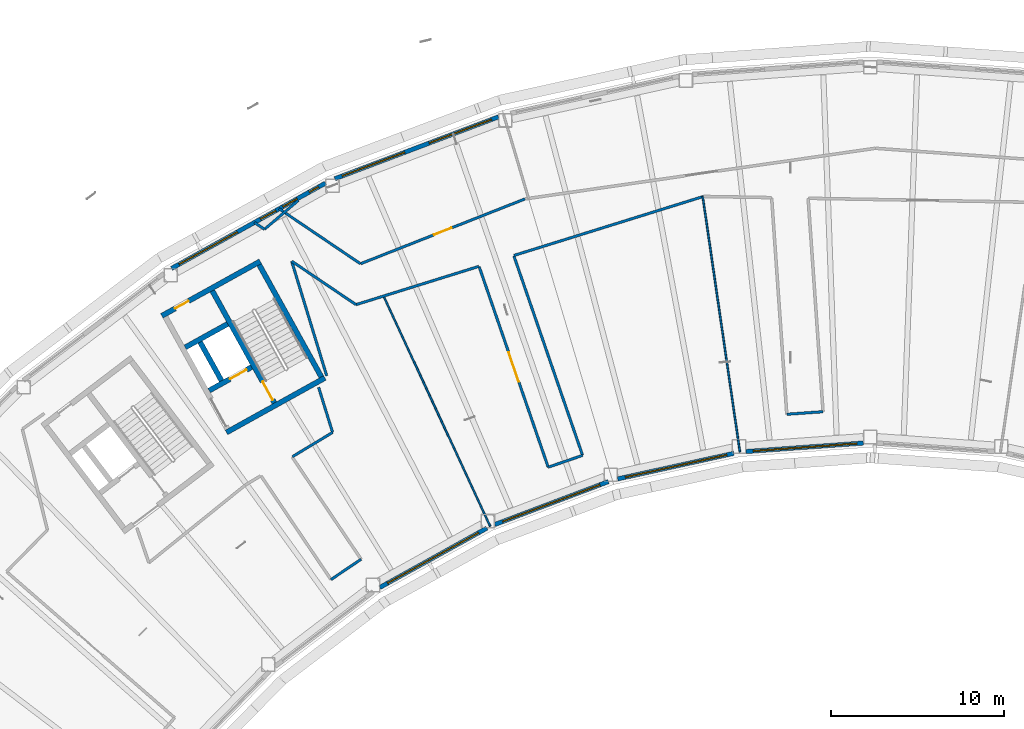
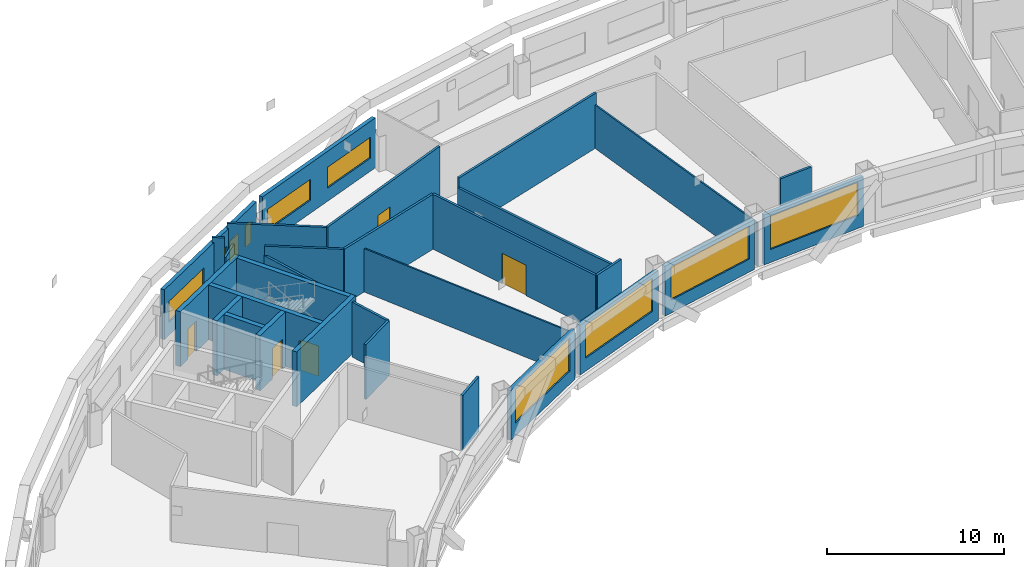
# One storey, part 6 of 21: 30 walls, 10 windows, 5 doors, 15 openings.
"""IFC4 building model written with IfcOpenShell, lengths in metres."""

from ifc_helpers import new_model, si_unit, direction, frame, frame_2d, origin, place, context, subcontext, project, spatial, rectangle, extrude, material, layer, layer_set, type_object, element, fill, save


model = new_model("IFC4")

# Units and contexts
model_context = context("Model", 3, precision=1e-05, world=origin(), true_north=direction((0.0, 1.0)))
body_context = subcontext(model_context, "Body", "Model", "MODEL_VIEW")
ifc_project = project(units=[si_unit("LENGTHUNIT", "METRE"), si_unit("AREAUNIT", "SQUARE_METRE"), si_unit("VOLUMEUNIT", "CUBIC_METRE"), si_unit("PLANEANGLEUNIT", "RADIAN"), si_unit("MASSUNIT", "GRAM", prefix="KILO")], contexts=[model_context])

# Site, building, storey
site_placement = place(None, origin())
site = spatial("IfcSite", under=ifc_project, at=site_placement, CompositionType="ELEMENT")
building_placement = place(site_placement, origin())
building = spatial("IfcBuilding", under=site, at=building_placement, Name="Tuul Gate Civic Tower", CompositionType="ELEMENT")
storey_placement = place(building_placement, frame((0.0, 0.0, 311.0)))
storey = spatial("IfcBuildingStorey", under=building, at=storey_placement, Name="Level 70", CompositionType="ELEMENT", Elevation=311.0)

# Wall
ifc_material_1 = material(Name="Concrete C50/60", Category="concrete")
ifc_layer_1 = layer(ifc_material_1, 0.300048828125)
ifc_layer_set_1 = layer_set([ifc_layer_1], Name="Concrete C50/60")
wall_type_1 = type_object("IfcWallType", Name="Core wall C50/60", PredefinedType="SHEAR", material=ifc_layer_set_1)
wall_1_placement = place(storey_placement, frame((-24.711669921875, -8.7158203125, 0.0), z_axis=(0.0, 0.0, 1.0), x_axis=(-0.874629909008, -0.484791215132, 0.0)))
element("IfcWall", 1, at=wall_1_placement, inside=storey, type_object=wall_type_1, Name="Core wall", PredefinedType="SHEAR", context=body_context, shape_type="SweptSolid", body=[
    extrude(rectangle(XDim=6.5, YDim=0.300048828125, at=frame_2d((3.25, 0.0))), origin(), (0.0, 0.0, 1.0), 3.800048828125),
])

# Wall, opening, door
wall_2_placement = place(storey_placement, frame((-28.94580078125, -8.090087890625, 0.0), z_axis=(0.0, 0.0, 1.0), x_axis=(-0.874629840737, -0.484791338301, 0.0)))
wall_2 = element("IfcWall", 2, at=wall_2_placement, inside=storey, type_object=wall_type_1, Name="Core wall", PredefinedType="SHEAR", context=body_context, shape_type="SweptSolid", body=[
    extrude(rectangle(XDim=2.800048828125, YDim=0.300048828125, at=frame_2d((1.39990234375, 0.0))), origin(), (0.0, 0.0, 1.0), 3.800048828125),
])
opening_1_placement = place(wall_2_placement, frame((0.324951171875, 0.0, 0.0)))
opening_1 = element("IfcOpeningElement", 3, at=opening_1_placement, cuts=wall_2, Name="Opening LD-FF-1", PredefinedType="OPENING", context=body_context, shape_type="SweptSolid", body=[
    extrude(rectangle(XDim=1.10009765625, YDim=2.10009765625, at=frame_2d((0.550048828125, 1.050048828125))), frame((0.0, 0.16015625, 0.0), z_axis=(0.0, -1.0, 0.0), x_axis=(1.0, 0.0, 0.0)), (0.0, 0.0, 1.0), 0.320068359375),
])
ifc_material_2 = material(Name="Stainless steel", Category="steel")
door_type_1 = type_object("IfcDoorType", Name="Landing door", OperationType="DOUBLE_DOOR_SLIDING", PredefinedType="DOOR", material=ifc_material_2)
door_1_placement = place(opening_1_placement, origin())
door_1 = element("IfcDoor", 4, at=door_1_placement, inside=storey, type_object=door_type_1, Name="Fire-fighting lift FF-1 landing door", OperationType="DOUBLE_DOOR_SLIDING", OverallHeight=2.10009765625, OverallWidth=1.10009765625, PredefinedType="DOOR", context=body_context, shape_type="SweptSolid", body=[
    extrude(rectangle(XDim=1.10009765625, YDim=2.10009765625, at=frame_2d((0.550048828125, 1.050048828125))), frame((0.0, 0.02490234375, 0.0), z_axis=(0.0, -1.0, 0.0), x_axis=(1.0, 0.0, 0.0)), (0.0, 0.0, 1.0), 0.050048828125),
])
fill(opening_1, door_1)

# Wall
wall_3_placement = place(storey_placement, frame((-30.327392578125, -5.59716796875, 0.0), z_axis=(0.0, 0.0, 1.0), x_axis=(-0.874629840737, -0.484791338301, 0.0)))
element("IfcWall", 5, at=wall_3_placement, inside=storey, type_object=wall_type_1, Name="Core wall", PredefinedType="SHEAR", context=body_context, shape_type="SweptSolid", body=[
    extrude(rectangle(XDim=2.800048828125, YDim=0.300048828125, at=frame_2d((1.39990234375, 0.0))), origin(), (0.0, 0.0, 1.0), 3.800048828125),
])

# Wall, opening, door
wall_4_placement = place(storey_placement, frame((-28.4443359375, -1.98095703125, 0.0), z_axis=(0.0, 0.0, 1.0), x_axis=(-0.874629909008, -0.484791215132, 0.0)))
wall_4 = element("IfcWall", 6, at=wall_4_placement, inside=storey, type_object=wall_type_1, Name="Core wall", PredefinedType="SHEAR", context=body_context, shape_type="SweptSolid", body=[
    extrude(rectangle(XDim=6.5, YDim=0.300048828125, at=frame_2d((3.25, 0.0))), origin(), (0.0, 0.0, 1.0), 3.800048828125),
])
opening_2_placement = place(wall_4_placement, frame((4.72509765625, 0.0, 0.0)))
opening_2 = element("IfcOpeningElement", 7, at=opening_2_placement, cuts=wall_4, Name="Opening Z-D15", PredefinedType="OPENING", context=body_context, shape_type="SweptSolid", body=[
    extrude(rectangle(XDim=0.89990234375, YDim=2.10009765625, at=frame_2d((0.449951171875, 1.050048828125))), frame((0.0, 0.16015625, 0.0), z_axis=(0.0, -1.0, 0.0), x_axis=(1.0, 0.0, 0.0)), (0.0, 0.0, 1.0), 0.320068359375),
])
ifc_material_3 = material(Name="Timber door leaf", Category="wood")
door_type_2 = type_object("IfcDoorType", Name="Door D09", OperationType="NOTDEFINED", PredefinedType="DOOR", material=ifc_material_3)
door_2_placement = place(opening_2_placement, origin())
door_2 = element("IfcDoor", 8, at=door_2_placement, inside=storey, type_object=door_type_2, Name="Door Z-D15", OperationType="SINGLE_SWING_LEFT", OverallHeight=2.10009765625, OverallWidth=0.89990234375, PredefinedType="DOOR", context=body_context, shape_type="SweptSolid", body=[
    extrude(rectangle(XDim=0.89990234375, YDim=2.10009765625, at=frame_2d((0.449951171875, 1.050048828125))), frame((0.0, 0.02490234375, 0.0), z_axis=(0.0, -1.0, 0.0), x_axis=(1.0, 0.0, 0.0)), (0.0, 0.0, 1.0), 0.050048828125),
])
fill(opening_2, door_2)

# Wall
wall_5_placement = place(storey_placement, frame((-24.91552734375, -8.6572265625, 0.0), z_axis=(0.0, 0.0, 1.0), x_axis=(-0.484777133038, 0.874637714304, 0.0)))
element("IfcWall", 9, at=wall_5_placement, inside=storey, type_object=wall_type_1, Name="Core wall", PredefinedType="SHEAR", context=body_context, shape_type="SweptSolid", body=[
    extrude(rectangle(XDim=7.400146484375, YDim=0.300048828125, at=frame_2d((3.7001953125, 0.0))), origin(), (0.0, 0.0, 1.0), 3.800048828125),
])

# Wall, opening, door
wall_6_placement = place(storey_placement, frame((-27.626953125, -10.16015625, 0.0), z_axis=(0.0, 0.0, 1.0), x_axis=(-0.484751894226, 0.874651702704, 0.0)))
wall_6 = element("IfcWall", 10, at=wall_6_placement, inside=storey, type_object=wall_type_1, Name="Core wall", PredefinedType="SHEAR", context=body_context, shape_type="SweptSolid", body=[
    extrude(rectangle(XDim=7.39990234375, YDim=0.300048828125, at=frame_2d((3.699951171875, 0.0))), origin(), (0.0, 0.0, 1.0), 3.800048828125),
])
opening_3_placement = place(wall_6_placement, frame((0.199951171875, 0.0, 0.0)))
opening_3 = element("IfcOpeningElement", 11, at=opening_3_placement, cuts=wall_6, Name="Opening SD-ST-2", PredefinedType="OPENING", context=body_context, shape_type="SweptSolid", body=[
    extrude(rectangle(XDim=1.199951171875, YDim=2.10009765625, at=frame_2d((0.60009765625, 1.050048828125))), frame((0.0, 0.16015625, 0.0), z_axis=(0.0, -1.0, 0.0), x_axis=(1.0, 0.0, 0.0)), (0.0, 0.0, 1.0), 0.320068359375),
])
ifc_material_4 = material(Name="Steel", Category="steel")
door_type_3 = type_object("IfcDoorType", Name="Stair door", OperationType="NOTDEFINED", PredefinedType="DOOR", material=ifc_material_4)
door_3_placement = place(opening_3_placement, origin())
door_3 = element("IfcDoor", 12, at=door_3_placement, inside=storey, type_object=door_type_3, Name="Stair door ST-2", OperationType="SINGLE_SWING_LEFT", OverallHeight=2.10009765625, OverallWidth=1.199951171875, PredefinedType="DOOR", context=body_context, shape_type="SweptSolid", body=[
    extrude(rectangle(XDim=1.199951171875, YDim=2.10009765625, at=frame_2d((0.60009765625, 1.050048828125))), frame((0.0, 0.02490234375, 0.0), z_axis=(0.0, -1.0, 0.0), x_axis=(1.0, 0.0, 0.0)), (0.0, 0.0, 1.0), 0.050048828125),
])
fill(opening_3, door_3)

# Wall
wall_7_placement = place(storey_placement, frame((-30.680419921875, -8.8798828125, 0.0), z_axis=(0.0, 0.0, 1.0), x_axis=(-0.484724115216, 0.874667097888, 0.0)))
element("IfcWall", 13, at=wall_7_placement, inside=storey, type_object=wall_type_1, Name="Core wall", PredefinedType="SHEAR", context=body_context, shape_type="SweptSolid", body=[
    extrude(rectangle(XDim=2.550048828125, YDim=0.300048828125, at=frame_2d((1.27490234375, 0.0))), origin(), (0.0, 0.0, 1.0), 3.800048828125),
])

# Wall, opening, door
ifc_material_5 = material(Name="Gypsum board partition")
ifc_layer_2 = layer(ifc_material_5, 0.14990234375)
ifc_layer_set_2 = layer_set([ifc_layer_2], Name="Gypsum board partition")
wall_type_2 = type_object("IfcWallType", Name="Corridor wall P150", PredefinedType="PARTITIONING", material=ifc_layer_set_2)
wall_8_placement = place(storey_placement, frame((-22.64990234375, -2.122802734375, 0.0), z_axis=(0.0, 0.0, 1.0), x_axis=(0.930310979709, 0.366771701515, 0.0)))
wall_8 = element("IfcWall", 14, at=wall_8_placement, inside=storey, type_object=wall_type_2, Name="p020", PredefinedType="PARTITIONING", context=body_context, shape_type="SweptSolid", body=[
    extrude(rectangle(XDim=10.207763671875, YDim=0.14990234375, at=frame_2d((5.10400390625, 0.0))), origin(), (0.0, 0.0, 1.0), 3.800048828125),
])
opening_4_placement = place(wall_8_placement, frame((4.5537109375, 0.0, 0.0)))
opening_4 = element("IfcOpeningElement", 15, at=opening_4_placement, cuts=wall_8, Name="Opening Z-D04", PredefinedType="OPENING", context=body_context, shape_type="SweptSolid", body=[
    extrude(rectangle(XDim=1.10009765625, YDim=2.10009765625, at=frame_2d((0.550048828125, 1.050048828125))), frame((0.0, 0.0849609375, 0.0), z_axis=(0.0, -1.0, 0.0), x_axis=(1.0, 0.0, 0.0)), (0.0, 0.0, 1.0), 0.169921875),
])
ifc_material_6 = material(Name="Timber door leaf", Category="wood")
door_type_4 = type_object("IfcDoorType", Name="Door D11", OperationType="NOTDEFINED", PredefinedType="DOOR", material=ifc_material_6)
door_4_placement = place(opening_4_placement, origin())
door_4 = element("IfcDoor", 16, at=door_4_placement, inside=storey, type_object=door_type_4, Name="Door Z-D04", OperationType="SINGLE_SWING_RIGHT", OverallHeight=2.10009765625, OverallWidth=1.10009765625, PredefinedType="DOOR", context=body_context, shape_type="SweptSolid", body=[
    extrude(rectangle(XDim=1.10009765625, YDim=2.10009765625, at=frame_2d((0.550048828125, 1.050048828125))), frame((0.0, 0.02490234375, 0.0), z_axis=(0.0, -1.0, 0.0), x_axis=(1.0, 0.0, 0.0)), (0.0, 0.0, 1.0), 0.050048828125),
])
fill(opening_4, door_4)

# Walls
wall_9_placement = place(storey_placement, frame((-27.357421875, 1.0546875, 0.0), z_axis=(0.0, 0.0, 1.0), x_axis=(0.828352810299, -0.56020676689, 0.0)))
element("IfcWall", 17, at=wall_9_placement, inside=storey, type_object=wall_type_2, Name="p021", PredefinedType="PARTITIONING", context=body_context, shape_type="SweptSolid", body=[
    extrude(rectangle(XDim=5.666015625, YDim=0.14990234375, at=frame_2d((2.8330078125, 0.0))), origin(), (0.0, 0.0, 1.0), 3.800048828125),
])
wall_10_placement = place(storey_placement, frame((-28.78466796875, 0.263427734375, 0.0), z_axis=(0.0, 0.0, 1.0), x_axis=(0.828259849194, -0.560344199767, 0.0)))
element("IfcWall", 18, at=wall_10_placement, inside=storey, type_object=wall_type_2, Name="p023", PredefinedType="PARTITIONING", context=body_context, shape_type="SweptSolid", body=[
    extrude(rectangle(XDim=0.70703125, YDim=0.14990234375, at=frame_2d((0.353515625, 0.0))), origin(), (0.0, 0.0, 1.0), 3.800048828125),
])
wall_11_placement = place(storey_placement, frame((-22.914306640625, -4.485107421875, 0.0), z_axis=(0.0, 0.0, 1.0), x_axis=(0.95478316179, 0.29730306753, 0.0)))
element("IfcWall", 19, at=wall_11_placement, inside=storey, type_object=wall_type_2, Name="p046", PredefinedType="PARTITIONING", context=body_context, shape_type="SweptSolid", body=[
    extrude(rectangle(XDim=7.42431640625, YDim=0.14990234375, at=frame_2d((3.712158203125, 0.0))), origin(), (0.0, 0.0, 1.0), 3.800048828125),
])
wall_12_placement = place(storey_placement, frame((-13.780517578125, -1.64111328125, 0.0), z_axis=(0.0, 0.0, 1.0), x_axis=(0.954785829925, 0.29729449873, 0.0)))
element("IfcWall", 20, at=wall_12_placement, inside=storey, type_object=wall_type_2, Name="p047", PredefinedType="PARTITIONING", context=body_context, shape_type="SweptSolid", body=[
    extrude(rectangle(XDim=11.45751953125, YDim=0.14990234375, at=frame_2d((5.728759765625, 0.0))), origin(), (0.0, 0.0, 1.0), 3.800048828125),
])
wall_13_placement = place(storey_placement, frame((1.970703125, -10.81640625, 0.0), z_axis=(0.0, 0.0, 1.0), x_axis=(0.997560992634, 0.069800186073, 0.0)))
element("IfcWall", 21, at=wall_13_placement, inside=storey, type_object=wall_type_2, Name="p049", PredefinedType="PARTITIONING", context=body_context, shape_type="SweptSolid", body=[
    extrude(rectangle(XDim=2.0986328125, YDim=0.14990234375, at=frame_2d((1.04931640625, 0.0))), origin(), (0.0, 0.0, 1.0), 3.800048828125),
])

# Wall, opening, door
wall_14_placement = place(storey_placement, frame((-15.800048828125, -2.290771484375, 0.0), z_axis=(0.0, 0.0, 1.0), x_axis=(0.325574272281, -0.945516469041, 0.0)))
wall_14 = element("IfcWall", 22, at=wall_14_placement, inside=storey, type_object=wall_type_2, Name="p052", PredefinedType="PARTITIONING", context=body_context, shape_type="SweptSolid", body=[
    extrude(rectangle(XDim=12.25146484375, YDim=0.14990234375, at=frame_2d((6.125732421875, 0.0))), origin(), (0.0, 0.0, 1.0), 3.800048828125),
])
opening_5_placement = place(wall_14_placement, frame((5.225830078125, 0.0, 0.0)))
opening_5 = element("IfcOpeningElement", 23, at=opening_5_placement, cuts=wall_14, Name="Opening Z-D09", PredefinedType="OPENING", context=body_context, shape_type="SweptSolid", body=[
    extrude(rectangle(XDim=1.800048828125, YDim=2.10009765625, at=frame_2d((0.89990234375, 1.050048828125))), frame((0.0, 0.0849609375, 0.0), z_axis=(0.0, -1.0, 0.0), x_axis=(1.0, 0.0, 0.0)), (0.0, 0.0, 1.0), 0.169921875),
])
ifc_material_7 = material(Name="Timber door leaf, double", Category="wood")
door_type_5 = type_object("IfcDoorType", Name="Door D18", OperationType="DOUBLE_DOOR_SINGLE_SWING", PredefinedType="DOOR", material=ifc_material_7)
door_5_placement = place(opening_5_placement, frame((1.800048828125, 0.0, 0.0), z_axis=(0.0, 0.0, 1.0), x_axis=(-1.0, 0.0, 0.0)))
door_5 = element("IfcDoor", 24, at=door_5_placement, inside=storey, type_object=door_type_5, Name="Door Z-D09", OperationType="DOUBLE_DOOR_SINGLE_SWING", OverallHeight=2.10009765625, OverallWidth=1.800048828125, PredefinedType="DOOR", context=body_context, shape_type="SweptSolid", body=[
    extrude(rectangle(XDim=1.800048828125, YDim=2.10009765625, at=frame_2d((0.900146484375, 1.050048828125))), frame((0.0, 0.02490234375, 0.0), z_axis=(0.0, -1.0, 0.0), x_axis=(1.0, 0.0, 0.0)), (0.0, 0.0, 1.0), 0.050048828125),
])
fill(opening_5, door_5)

# Walls
wall_15_placement = place(storey_placement, frame((-11.810546875, -13.875244140625, 0.0), z_axis=(0.0, 0.0, 1.0), x_axis=(0.945531128313, 0.325531696446, 0.0)))
element("IfcWall", 25, at=wall_15_placement, inside=storey, type_object=wall_type_2, Name="p053", PredefinedType="PARTITIONING", context=body_context, shape_type="SweptSolid", body=[
    extrude(rectangle(XDim=2.098388671875, YDim=0.14990234375, at=frame_2d((1.04931640625, 0.0))), origin(), (0.0, 0.0, 1.0), 3.800048828125),
])
wall_16_placement = place(storey_placement, frame((-26.58837890625, -13.267822265625, 0.0), z_axis=(0.0, 0.0, 1.0), x_axis=(0.856100498429, 0.51680938129, 0.0)))
element("IfcWall", 26, at=wall_16_placement, inside=storey, type_object=wall_type_2, Name="p059", PredefinedType="PARTITIONING", context=body_context, shape_type="SweptSolid", body=[
    extrude(rectangle(XDim=2.71337890625, YDim=0.14990234375, at=frame_2d((1.356689453125, 0.0))), origin(), (0.0, 0.0, 1.0), 3.800048828125),
])
wall_17_placement = place(storey_placement, frame((-24.359375, -20.3662109375, 0.0), z_axis=(0.0, 0.0, 1.0), x_axis=(0.829033273432, 0.559199277129, 0.0)))
element("IfcWall", 27, at=wall_17_placement, inside=storey, type_object=wall_type_2, Name="p061", PredefinedType="PARTITIONING", context=body_context, shape_type="SweptSolid", body=[
    extrude(rectangle(XDim=2.10009765625, YDim=0.14990234375, at=frame_2d((1.050048828125, 0.0))), origin(), (0.0, 0.0, 1.0), 3.800048828125),
])
wall_18_placement = place(storey_placement, frame((-25.073974609375, -9.259521484375, 0.0), z_axis=(0.0, 0.0, 1.0), x_axis=(0.296292255378, -0.955097324571, 0.0)))
element("IfcWall", 28, at=wall_18_placement, inside=storey, type_object=wall_type_2, Name="p063", PredefinedType="PARTITIONING", context=body_context, shape_type="SweptSolid", body=[
    extrude(rectangle(XDim=2.728271484375, YDim=0.14990234375, at=frame_2d((1.3642578125, 0.0))), origin(), (0.0, 0.0, 1.0), 3.800048828125),
])
wall_19_placement = place(storey_placement, frame((-26.630615234375, -1.971923828125, 0.0), z_axis=(0.0, 0.0, 1.0), x_axis=(0.828348035042, -0.560213827785, 0.0)))
element("IfcWall", 29, at=wall_19_placement, inside=storey, type_object=wall_type_2, Name="p065", PredefinedType="PARTITIONING", context=body_context, shape_type="SweptSolid", body=[
    extrude(rectangle(XDim=4.486083984375, YDim=0.14990234375, at=frame_2d((2.2431640625, 0.0))), origin(), (0.0, 0.0, 1.0), 3.800048828125),
])
ifc_material_8 = material(Name="Gypsum board partition")
ifc_layer_3 = layer(ifc_material_8, 0.14990234375)
ifc_layer_set_3 = layer_set([ifc_layer_3], Name="Gypsum board partition")
wall_type_3 = type_object("IfcWallType", Name="Corridor wall P150 2400 HIGH", PredefinedType="PARTITIONING", material=ifc_layer_set_3)
wall_20_placement = place(storey_placement, frame((-28.198974609375, -0.1328125, 0.0), z_axis=(0.0, 0.0, 1.0), x_axis=(0.760617168341, 0.64920068024, 0.0)))
element("IfcWall", 30, at=wall_20_placement, inside=storey, type_object=wall_type_3, Name="p022", PredefinedType="PARTITIONING", context=body_context, shape_type="SweptSolid", body=[
    extrude(rectangle(XDim=2.568115234375, YDim=0.14990234375, at=frame_2d((1.2841796875, 0.0))), origin(), (0.0, 0.0, 1.0), 2.39990234375),
])
ifc_material_9 = material(Name="Gypsum board partition")
ifc_layer_4 = layer(ifc_material_9, 0.14990234375)
ifc_layer_set_4 = layer_set([ifc_layer_4], Name="Gypsum board partition")
wall_type_4 = type_object("IfcWallType", Name="Corridor wall P150 3150 HIGH", PredefinedType="PARTITIONING", material=ifc_layer_set_4)
wall_21_placement = place(storey_placement, frame((-13.793701171875, -1.667236328125, 0.0), z_axis=(0.0, 0.0, 1.0), x_axis=(0.325569014001, -0.945518279634, 0.0)))
element("IfcWall", 31, at=wall_21_placement, inside=storey, type_object=wall_type_4, Name="p054", PredefinedType="PARTITIONING", context=body_context, shape_type="SweptSolid", body=[
    extrude(rectangle(XDim=12.18798828125, YDim=0.14990234375, at=frame_2d((6.093994140625, 0.0))), origin(), (0.0, 0.0, 1.0), 3.14990234375),
])
wall_22_placement = place(storey_placement, frame((-26.630615234375, -1.971923828125, 0.0), z_axis=(0.0, 0.0, 1.0), x_axis=(0.292375127698, -0.956303709448, 0.0)))
element("IfcWall", 32, at=wall_22_placement, inside=storey, type_object=wall_type_4, Name="p064", PredefinedType="PARTITIONING", context=body_context, shape_type="SweptSolid", body=[
    extrude(rectangle(XDim=6.931640625, YDim=0.14990234375, at=frame_2d((3.4658203125, 0.0))), origin(), (0.0, 0.0, 1.0), 3.14990234375),
])

# Wall, openings, windows
ifc_material_10 = material(Name="Precast concrete C40/50", Category="concrete")
ifc_layer_5 = layer(ifc_material_10, 0.25)
ifc_layer_set_5 = layer_set([ifc_layer_5], Name="Precast concrete C40/50")
wall_type_5 = type_object("IfcWallType", Name="External wall", PredefinedType="STANDARD", material=ifc_layer_set_5)
wall_23_placement = place(storey_placement, frame((-14.68798828125, 6.35888671875, 0.0), z_axis=(0.0, 0.0, 1.0), x_axis=(-0.9353443931, -0.353738415071, 0.0)))
wall_23 = element("IfcWall", 33, at=wall_23_placement, inside=storey, type_object=wall_type_5, Name="External wall", PredefinedType="STANDARD", context=body_context, shape_type="SweptSolid", body=[
    extrude(rectangle(XDim=10.103515625, YDim=0.25, at=frame_2d((5.0517578125, 0.0))), origin(), (0.0, 0.0, 1.0), 3.449951171875),
])
opening_6_placement = place(wall_23_placement, frame((0.424072265625, 0.0, 0.89990234375)))
opening_6 = element("IfcOpeningElement", 34, at=opening_6_placement, cuts=wall_23, Name="Opening W103", PredefinedType="OPENING", context=body_context, shape_type="SweptSolid", body=[
    extrude(rectangle(XDim=3.85009765625, YDim=1.449951171875, at=frame_2d((1.925048828125, 0.72509765625))), frame((0.0, 0.135009765625, 0.0), z_axis=(0.0, -1.0, 0.0), x_axis=(1.0, 0.0, 0.0)), (0.0, 0.0, 1.0), 0.27001953125),
])
opening_7_placement = place(wall_23_placement, frame((5.794921875, 0.0, 0.89990234375)))
opening_7 = element("IfcOpeningElement", 35, at=opening_7_placement, cuts=wall_23, Name="Opening W103", PredefinedType="OPENING", context=body_context, shape_type="SweptSolid", body=[
    extrude(rectangle(XDim=3.85009765625, YDim=1.449951171875, at=frame_2d((1.925048828125, 0.72509765625))), frame((0.0, 0.135009765625, 0.0), z_axis=(0.0, -1.0, 0.0), x_axis=(1.0, 0.0, 0.0)), (0.0, 0.0, 1.0), 0.27001953125),
])
ifc_material_11 = material(Name="Glass", Category="glass")
window_type_1 = type_object("IfcWindowType", Name="Window W103 3850 x 1450", PartitioningType="SINGLE_PANEL", PredefinedType="WINDOW", material=ifc_material_11)
window_1_placement = place(opening_6_placement, origin())
window_1 = element("IfcWindow", 36, at=window_1_placement, inside=storey, type_object=window_type_1, Name="Window", OverallHeight=1.449951171875, OverallWidth=3.85009765625, PartitioningType="SINGLE_PANEL", PredefinedType="WINDOW", context=body_context, shape_type="SweptSolid", body=[
    extrude(rectangle(XDim=3.85009765625, YDim=1.449951171875, at=frame_2d((1.925048828125, 0.72509765625))), frame((0.0, 0.030029296875, 0.0), z_axis=(0.0, -1.0, 0.0), x_axis=(1.0, 0.0, 0.0)), (0.0, 0.0, 1.0), 0.06005859375),
])
fill(opening_6, window_1)
window_2_placement = place(opening_7_placement, origin())
window_2 = element("IfcWindow", 37, at=window_2_placement, inside=storey, type_object=window_type_1, Name="Window", OverallHeight=1.449951171875, OverallWidth=3.85009765625, PartitioningType="SINGLE_PANEL", PredefinedType="WINDOW", context=body_context, shape_type="SweptSolid", body=[
    extrude(rectangle(XDim=3.85009765625, YDim=1.449951171875, at=frame_2d((1.925048828125, 0.72509765625))), frame((0.0, 0.030029296875, 0.0), z_axis=(0.0, -1.0, 0.0), x_axis=(1.0, 0.0, 0.0)), (0.0, 0.0, 1.0), 0.06005859375),
])
fill(opening_7, window_2)

wall_24_placement = place(storey_placement, frame((-24.676025390625, 2.53515625, 0.0), z_axis=(0.0, 0.0, 1.0), x_axis=(-0.874624927255, -0.484800202789, 0.0)))
wall_24 = element("IfcWall", 38, at=wall_24_placement, inside=storey, type_object=wall_type_5, Name="External wall", PredefinedType="STANDARD", context=body_context, shape_type="SweptSolid", body=[
    extrude(rectangle(XDim=10.161376953125, YDim=0.25, at=frame_2d((5.08056640625, 0.0))), origin(), (0.0, 0.0, 1.0), 3.449951171875),
])
opening_8_placement = place(wall_24_placement, frame((5.822021484375, 0.0, 0.89990234375)))
opening_8 = element("IfcOpeningElement", 39, at=opening_8_placement, cuts=wall_24, Name="Opening W103", PredefinedType="OPENING", context=body_context, shape_type="SweptSolid", body=[
    extrude(rectangle(XDim=3.85009765625, YDim=1.449951171875, at=frame_2d((1.925048828125, 0.72509765625))), frame((0.0, 0.135009765625, 0.0), z_axis=(0.0, -1.0, 0.0), x_axis=(1.0, 0.0, 0.0)), (0.0, 0.0, 1.0), 0.27001953125),
])
opening_9_placement = place(wall_24_placement, frame((3.281982421875, 0.0, 0.89990234375)))
opening_9 = element("IfcOpeningElement", 40, at=opening_9_placement, cuts=wall_24, Name="Opening W127", PredefinedType="OPENING", context=body_context, shape_type="SweptSolid", body=[
    extrude(rectangle(XDim=1.0, YDim=1.449951171875, at=frame_2d((0.5, 0.72509765625))), frame((0.0, 0.135009765625, 0.0), z_axis=(0.0, -1.0, 0.0), x_axis=(1.0, 0.0, 0.0)), (0.0, 0.0, 1.0), 0.27001953125),
])
opening_10_placement = place(wall_24_placement, frame((0.462890625, 0.0, 0.89990234375)))
opening_10 = element("IfcOpeningElement", 41, at=opening_10_placement, cuts=wall_24, Name="Opening W134", PredefinedType="OPENING", context=body_context, shape_type="SweptSolid", body=[
    extrude(rectangle(XDim=0.60009765625, YDim=1.449951171875, at=frame_2d((0.300048828125, 0.72509765625))), frame((0.0, 0.135009765625, 0.0), z_axis=(0.0, -1.0, 0.0), x_axis=(1.0, 0.0, 0.0)), (0.0, 0.0, 1.0), 0.27001953125),
])
opening_11_placement = place(wall_24_placement, frame((1.868896484375, 0.0, 0.89990234375)))
opening_11 = element("IfcOpeningElement", 42, at=opening_11_placement, cuts=wall_24, Name="Opening W135", PredefinedType="OPENING", context=body_context, shape_type="SweptSolid", body=[
    extrude(rectangle(XDim=0.949951171875, YDim=1.449951171875, at=frame_2d((0.47509765625, 0.72509765625))), frame((0.0, 0.135009765625, 0.0), z_axis=(0.0, -1.0, 0.0), x_axis=(1.0, 0.0, 0.0)), (0.0, 0.0, 1.0), 0.27001953125),
])
window_3_placement = place(opening_8_placement, origin())
window_3 = element("IfcWindow", 43, at=window_3_placement, inside=storey, type_object=window_type_1, Name="Window", OverallHeight=1.449951171875, OverallWidth=3.85009765625, PartitioningType="SINGLE_PANEL", PredefinedType="WINDOW", context=body_context, shape_type="SweptSolid", body=[
    extrude(rectangle(XDim=3.85009765625, YDim=1.449951171875, at=frame_2d((1.925048828125, 0.72509765625))), frame((0.0, 0.030029296875, 0.0), z_axis=(0.0, -1.0, 0.0), x_axis=(1.0, 0.0, 0.0)), (0.0, 0.0, 1.0), 0.06005859375),
])
fill(opening_8, window_3)
ifc_material_12 = material(Name="Glass", Category="glass")
window_type_2 = type_object("IfcWindowType", Name="Window W127 1000 x 1450", PartitioningType="SINGLE_PANEL", PredefinedType="WINDOW", material=ifc_material_12)
window_4_placement = place(opening_9_placement, origin())
window_4 = element("IfcWindow", 44, at=window_4_placement, inside=storey, type_object=window_type_2, Name="Window", OverallHeight=1.449951171875, OverallWidth=1.0, PartitioningType="SINGLE_PANEL", PredefinedType="WINDOW", context=body_context, shape_type="SweptSolid", body=[
    extrude(rectangle(XDim=1.0, YDim=1.449951171875, at=frame_2d((0.5, 0.72509765625))), frame((0.0, 0.030029296875, 0.0), z_axis=(0.0, -1.0, 0.0), x_axis=(1.0, 0.0, 0.0)), (0.0, 0.0, 1.0), 0.06005859375),
])
fill(opening_9, window_4)
ifc_material_13 = material(Name="Glass", Category="glass")
window_type_3 = type_object("IfcWindowType", Name="Window W134 600 x 1450", PartitioningType="SINGLE_PANEL", PredefinedType="WINDOW", material=ifc_material_13)
window_5_placement = place(opening_10_placement, origin())
window_5 = element("IfcWindow", 45, at=window_5_placement, inside=storey, type_object=window_type_3, Name="Window", OverallHeight=1.449951171875, OverallWidth=0.60009765625, PartitioningType="SINGLE_PANEL", PredefinedType="WINDOW", context=body_context, shape_type="SweptSolid", body=[
    extrude(rectangle(XDim=0.60009765625, YDim=1.449951171875, at=frame_2d((0.300048828125, 0.72509765625))), frame((0.0, 0.030029296875, 0.0), z_axis=(0.0, -1.0, 0.0), x_axis=(1.0, 0.0, 0.0)), (0.0, 0.0, 1.0), 0.06005859375),
])
fill(opening_10, window_5)
ifc_material_14 = material(Name="Glass", Category="glass")
window_type_4 = type_object("IfcWindowType", Name="Window W135 950 x 1450", PartitioningType="SINGLE_PANEL", PredefinedType="WINDOW", material=ifc_material_14)
window_6_placement = place(opening_11_placement, origin())
window_6 = element("IfcWindow", 46, at=window_6_placement, inside=storey, type_object=window_type_4, Name="Window", OverallHeight=1.449951171875, OverallWidth=0.949951171875, PartitioningType="SINGLE_PANEL", PredefinedType="WINDOW", context=body_context, shape_type="SweptSolid", body=[
    extrude(rectangle(XDim=0.949951171875, YDim=1.449951171875, at=frame_2d((0.47509765625, 0.72509765625))), frame((0.0, 0.030029296875, 0.0), z_axis=(0.0, -1.0, 0.0), x_axis=(1.0, 0.0, 0.0)), (0.0, 0.0, 1.0), 0.06005859375),
])
fill(opening_11, window_6)

# Wall, opening, window
wall_25_placement = place(storey_placement, frame((-21.5380859375, -20.82177734375, 0.0), z_axis=(0.0, 0.0, 1.0), x_axis=(0.874625686175, 0.484798833625, 0.0)))
wall_25 = element("IfcWall", 47, at=wall_25_placement, inside=storey, type_object=wall_type_5, Name="External wall", PredefinedType="STANDARD", context=body_context, shape_type="SweptSolid", body=[
    extrude(rectangle(XDim=7.074462890625, YDim=0.25, at=frame_2d((3.537109375, 0.0))), origin(), (0.0, 0.0, 1.0), 3.449951171875),
])
opening_12_placement = place(wall_25_placement, frame((0.51806640625, 0.0, 0.89990234375)))
opening_12 = element("IfcOpeningElement", 48, at=opening_12_placement, cuts=wall_25, Name="Opening W26", PredefinedType="OPENING", context=body_context, shape_type="SweptSolid", body=[
    extrude(rectangle(XDim=6.0, YDim=2.300048828125, at=frame_2d((3.0, 1.14990234375))), frame((0.0, 0.135009765625, 0.0), z_axis=(0.0, -1.0, 0.0), x_axis=(1.0, 0.0, 0.0)), (0.0, 0.0, 1.0), 0.27001953125),
])
ifc_material_15 = material(Name="Glass", Category="glass")
window_type_5 = type_object("IfcWindowType", Name="Window W26 6000 x 2300", PartitioningType="SINGLE_PANEL", PredefinedType="WINDOW", material=ifc_material_15)
window_7_placement = place(opening_12_placement, origin())
window_7 = element("IfcWindow", 49, at=window_7_placement, inside=storey, type_object=window_type_5, Name="Window", OverallHeight=2.300048828125, OverallWidth=6.0, PartitioningType="SINGLE_PANEL", PredefinedType="WINDOW", context=body_context, shape_type="SweptSolid", body=[
    extrude(rectangle(XDim=6.0, YDim=2.300048828125, at=frame_2d((3.0, 1.14990234375))), frame((0.0, 0.030029296875, 0.0), z_axis=(0.0, -1.0, 0.0), x_axis=(1.0, 0.0, 0.0)), (0.0, 0.0, 1.0), 0.06005859375),
])
fill(opening_12, window_7)

wall_26_placement = place(storey_placement, frame((-14.89794921875, -17.1875, 0.0), z_axis=(0.0, 0.0, 1.0), x_axis=(0.93536719876, 0.35367810716, 0.0)))
wall_26 = element("IfcWall", 50, at=wall_26_placement, inside=storey, type_object=wall_type_5, Name="External wall", PredefinedType="STANDARD", context=body_context, shape_type="SweptSolid", body=[
    extrude(rectangle(XDim=7.013427734375, YDim=0.25, at=frame_2d((3.5068359375, 0.0))), origin(), (0.0, 0.0, 1.0), 3.449951171875),
])
opening_13_placement = place(wall_26_placement, frame((0.490478515625, 0.0, 0.89990234375)))
opening_13 = element("IfcOpeningElement", 51, at=opening_13_placement, cuts=wall_26, Name="Opening W26", PredefinedType="OPENING", context=body_context, shape_type="SweptSolid", body=[
    extrude(rectangle(XDim=6.0, YDim=2.300048828125, at=frame_2d((3.0, 1.14990234375))), frame((0.0, 0.135009765625, 0.0), z_axis=(0.0, -1.0, 0.0), x_axis=(1.0, 0.0, 0.0)), (0.0, 0.0, 1.0), 0.27001953125),
])
window_8_placement = place(opening_13_placement, origin())
window_8 = element("IfcWindow", 52, at=window_8_placement, inside=storey, type_object=window_type_5, Name="Window", OverallHeight=2.300048828125, OverallWidth=6.0, PartitioningType="SINGLE_PANEL", PredefinedType="WINDOW", context=body_context, shape_type="SweptSolid", body=[
    extrude(rectangle(XDim=6.0, YDim=2.300048828125, at=frame_2d((3.0, 1.14990234375))), frame((0.0, 0.030029296875, 0.0), z_axis=(0.0, -1.0, 0.0), x_axis=(1.0, 0.0, 0.0)), (0.0, 0.0, 1.0), 0.06005859375),
])
fill(opening_13, window_8)

wall_27_placement = place(storey_placement, frame((-7.798095703125, -14.55126953125, 0.0), z_axis=(0.0, 0.0, 1.0), x_axis=(0.976561146318, 0.215240162382, 0.0)))
wall_27 = element("IfcWall", 53, at=wall_27_placement, inside=storey, type_object=wall_type_5, Name="External wall", PredefinedType="STANDARD", context=body_context, shape_type="SweptSolid", body=[
    extrude(rectangle(XDim=6.867919921875, YDim=0.25, at=frame_2d((3.43408203125, 0.0))), origin(), (0.0, 0.0, 1.0), 3.449951171875),
])
opening_14_placement = place(wall_27_placement, frame((0.458251953125, 0.0, 0.89990234375)))
opening_14 = element("IfcOpeningElement", 54, at=opening_14_placement, cuts=wall_27, Name="Opening W26", PredefinedType="OPENING", context=body_context, shape_type="SweptSolid", body=[
    extrude(rectangle(XDim=6.0, YDim=2.300048828125, at=frame_2d((3.0, 1.14990234375))), frame((0.0, 0.135009765625, 0.0), z_axis=(0.0, -1.0, 0.0), x_axis=(1.0, 0.0, 0.0)), (0.0, 0.0, 1.0), 0.27001953125),
])
window_9_placement = place(opening_14_placement, origin())
window_9 = element("IfcWindow", 55, at=window_9_placement, inside=storey, type_object=window_type_5, Name="Window", OverallHeight=2.300048828125, OverallWidth=6.0, PartitioningType="SINGLE_PANEL", PredefinedType="WINDOW", context=body_context, shape_type="SweptSolid", body=[
    extrude(rectangle(XDim=6.0, YDim=2.300048828125, at=frame_2d((3.0, 1.14990234375))), frame((0.0, 0.030029296875, 0.0), z_axis=(0.0, -1.0, 0.0), x_axis=(1.0, 0.0, 0.0)), (0.0, 0.0, 1.0), 0.06005859375),
])
fill(opening_14, window_9)

wall_28_placement = place(storey_placement, frame((-0.384033203125, -12.969482421875, 0.0), z_axis=(0.0, 0.0, 1.0), x_axis=(0.997384795983, 0.072274260578, 0.0)))
wall_28 = element("IfcWall", 56, at=wall_28_placement, inside=storey, type_object=wall_type_5, Name="External wall", PredefinedType="STANDARD", context=body_context, shape_type="SweptSolid", body=[
    extrude(rectangle(XDim=6.789794921875, YDim=0.25, at=frame_2d((3.39501953125, 0.0))), origin(), (0.0, 0.0, 1.0), 3.449951171875),
])
opening_15_placement = place(wall_28_placement, frame((0.41845703125, 0.0, 0.89990234375)))
opening_15 = element("IfcOpeningElement", 57, at=opening_15_placement, cuts=wall_28, Name="Opening W26", PredefinedType="OPENING", context=body_context, shape_type="SweptSolid", body=[
    extrude(rectangle(XDim=6.0, YDim=2.300048828125, at=frame_2d((3.0, 1.14990234375))), frame((0.0, 0.135009765625, 0.0), z_axis=(0.0, -1.0, 0.0), x_axis=(1.0, 0.0, 0.0)), (0.0, 0.0, 1.0), 0.27001953125),
])
window_10_placement = place(opening_15_placement, origin())
window_10 = element("IfcWindow", 58, at=window_10_placement, inside=storey, type_object=window_type_5, Name="Window", OverallHeight=2.300048828125, OverallWidth=6.0, PartitioningType="SINGLE_PANEL", PredefinedType="WINDOW", context=body_context, shape_type="SweptSolid", body=[
    extrude(rectangle(XDim=6.0, YDim=2.300048828125, at=frame_2d((3.0, 1.14990234375))), frame((0.0, 0.030029296875, 0.0), z_axis=(0.0, -1.0, 0.0), x_axis=(1.0, 0.0, 0.0)), (0.0, 0.0, 1.0), 0.06005859375),
])
fill(opening_15, window_10)

# Walls
ifc_material_16 = material(Name="Gypsum board partition")
ifc_layer_6 = layer(ifc_material_16, 0.10009765625)
ifc_layer_set_6 = layer_set([ifc_layer_6], Name="Gypsum board partition")
wall_type_6 = type_object("IfcWallType", Name="Partition P100 3000 HIGH", PredefinedType="PARTITIONING", material=ifc_layer_set_6)
wall_29_placement = place(storey_placement, frame((-2.88427734375, 1.751708984375, 0.0), z_axis=(0.0, 0.0, 1.0), x_axis=(0.144103430694, -0.989562631298, 0.0)))
element("IfcWall", 59, at=wall_29_placement, inside=storey, type_object=wall_type_6, Name="p045", PredefinedType="PARTITIONING", context=body_context, shape_type="SweptSolid", body=[
    extrude(rectangle(XDim=14.9072265625, YDim=0.10009765625, at=frame_2d((7.45361328125, 0.0))), origin(), (0.0, 0.0, 1.0), 3.0),
])
wall_30_placement = place(storey_placement, frame((-21.322265625, -3.9892578125, 0.0), z_axis=(0.0, 0.0, 1.0), x_axis=(0.42036404634, -0.907355535909, 0.0)))
element("IfcWall", 60, at=wall_30_placement, inside=storey, type_object=wall_type_6, Name="p051", PredefinedType="PARTITIONING", context=body_context, shape_type="SweptSolid", body=[
    extrude(rectangle(XDim=14.66064453125, YDim=0.10009765625, at=frame_2d((7.330322265625, 0.0))), origin(), (0.0, 0.0, 1.0), 3.0),
])

save(model, "model.ifc")
